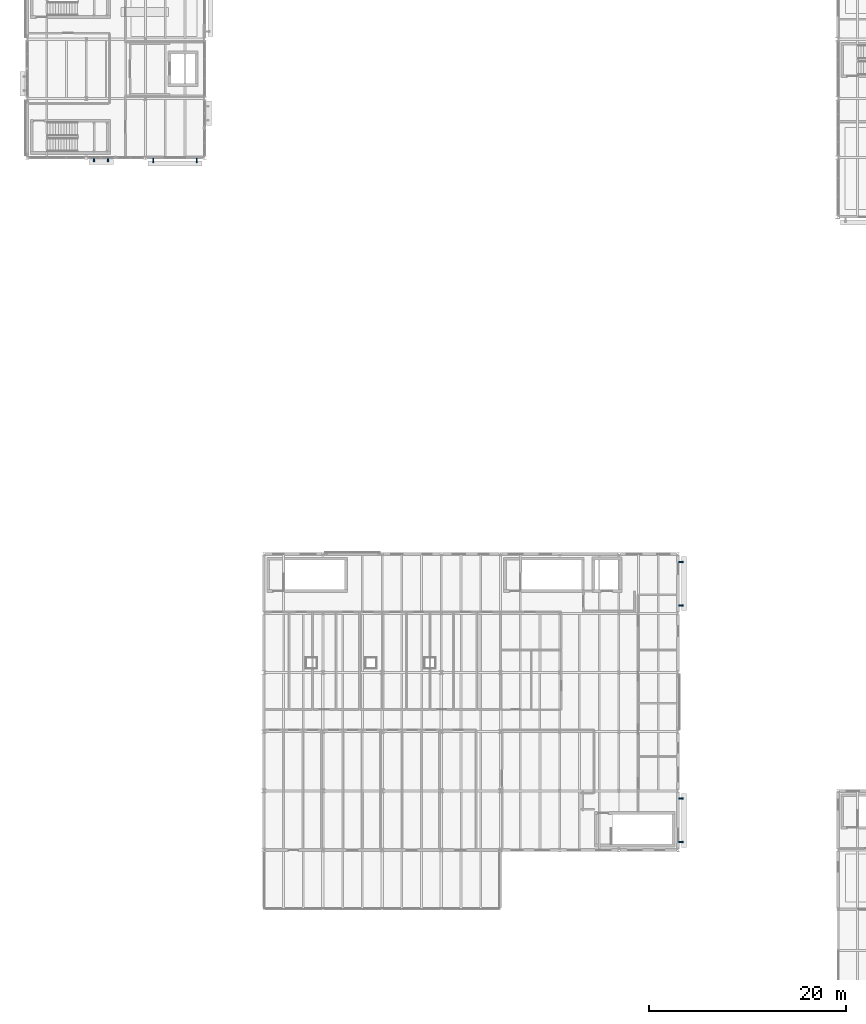
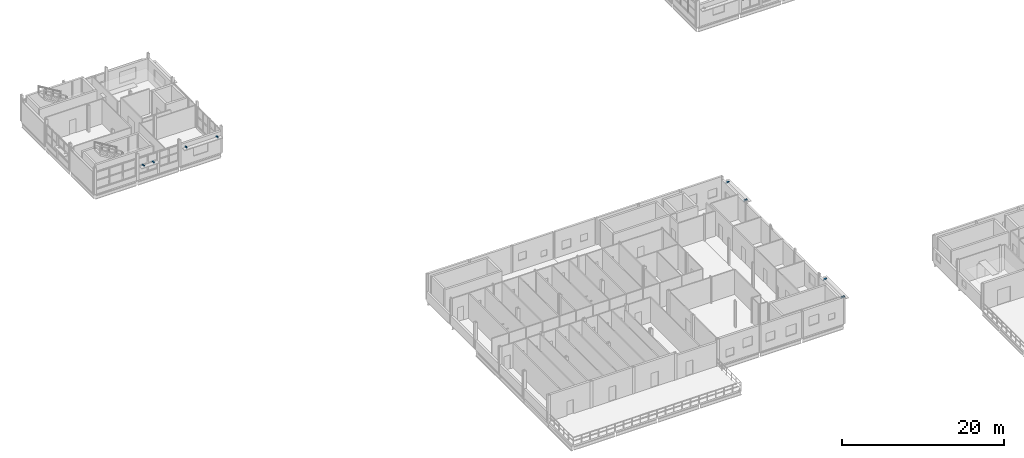
# One storey, part 41 of 45: 8 discrete accessories.
"""IFC4 building model written with IfcOpenShell, lengths in metres."""

import ifcopenshell
import ifcopenshell.guid

model = None  # the IFC model being written
_history = None  # IfcOwnerHistory: only IFC2X3 demands one
_inside = {}  # id of a spatial element -> (the spatial element, [elements in it])
_under = {}  # id of a project, library or spatial element -> (it, [spatial elements below it])
_declared = {}  # id of a project -> (the project, [libraries it declares])
_typed = {}  # id of a type object -> (the type object, [elements of that type])
_made_of = {}  # id of a material, layer set ... -> (it, [elements and type objects made of it])


def new_model(schema):
    """Start an empty IFC model of exactly this schema.

    Asked for "IFC4X3", IfcOpenShell would pick the latest addendum, in which some entities
    have other attributes; the version numbers below select the first issue.
    IFC2X3 requires an IfcOwnerHistory on every rooted entity: one is made here for all.
    """
    global model, _history
    if schema == "IFC4X3":
        model = ifcopenshell.file(schema_version=(4, 3, 0, 0))
    else:
        model = ifcopenshell.file(schema=schema)
    _inside.clear()
    _under.clear()
    _declared.clear()
    _typed.clear()
    _made_of.clear()
    _history = None
    if model.schema == "IFC2X3":
        org = make("IfcOrganization", Name="unknown")
        user = make(
            "IfcPersonAndOrganization",
            ThePerson=make("IfcPerson", FamilyName="unknown"),
            TheOrganization=org,
        )
        app = make(
            "IfcApplication",
            ApplicationDeveloper=org,
            Version="unknown",
            ApplicationFullName="unknown",
            ApplicationIdentifier="unknown",
        )
        _history = make(
            "IfcOwnerHistory",
            OwningUser=user,
            OwningApplication=app,
            ChangeAction="ADDED",
            CreationDate=0,
        )
    return model


def make(cls, **values):
    """One entity of the class cls with the attributes given. An attribute that is None is left unset."""
    return model.create_entity(
        cls, **{name: value for name, value in values.items() if value is not None}
    )


def rooted(cls, **values):
    """An entity with a GlobalId (a new one), such as an element, a storey or a relation."""
    return make(cls, GlobalId=ifcopenshell.guid.new(), OwnerHistory=_history, **values)


def si_unit(unit_type, name, prefix=None):
    """IfcSIUnit, for example si_unit("LENGTHUNIT", "METRE", prefix="MILLI")."""
    return make("IfcSIUnit", UnitType=unit_type, Prefix=prefix, Name=name)


def assignment(units):
    """IfcUnitAssignment: the units of a project."""
    return None if units is None else make("IfcUnitAssignment", Units=units)


def point(xyz):
    """IfcCartesianPoint."""
    return None if xyz is None else make("IfcCartesianPoint", Coordinates=xyz)


def direction(xyz):
    """IfcDirection."""
    return None if xyz is None else make("IfcDirection", DirectionRatios=xyz)


def frame(location, z_axis=None, x_axis=None):
    """IfcAxis2Placement3D, a coordinate frame: its origin and axes. An axis left out is left unset."""
    return make(
        "IfcAxis2Placement3D",
        Location=point(location),
        Axis=direction(z_axis),
        RefDirection=direction(x_axis),
    )


def frame_2d(location, x_axis=None):
    """IfcAxis2Placement2D, a coordinate frame in the plane: its origin and x axis."""
    return make(
        "IfcAxis2Placement2D", Location=point(location), RefDirection=direction(x_axis)
    )


def origin():
    """The frame at (0, 0, 0) with its axes left unset."""
    return frame((0.0, 0.0, 0.0))


def origin_2d():
    """The frame at (0, 0) in the plane with its x axis left unset."""
    return frame_2d((0.0, 0.0))


def place(relative_to, where):
    """IfcLocalPlacement: puts the frame where relative to a parent placement (None: the world)."""
    return make(
        "IfcLocalPlacement", PlacementRelTo=relative_to, RelativePlacement=where
    )


def context(
    kind, dimensions, precision=None, world=None, true_north=None, identifier=None
):
    """IfcGeometricRepresentationContext, for example the 3D "Model" context."""
    return make(
        "IfcGeometricRepresentationContext",
        ContextIdentifier=identifier,
        ContextType=kind,
        CoordinateSpaceDimension=dimensions,
        Precision=precision,
        WorldCoordinateSystem=world,
        TrueNorth=true_north,
    )


def subcontext(parent, identifier, kind, view, scale=None):
    """IfcGeometricRepresentationSubContext, for example "Body" below "Model"."""
    return make(
        "IfcGeometricRepresentationSubContext",
        ContextIdentifier=identifier,
        ContextType=kind,
        ParentContext=parent,
        TargetScale=scale,
        TargetView=view,
    )


def project(units=None, contexts=None):
    """IfcProject with its units and contexts."""
    return rooted(
        "IfcProject",
        Name="project",
        RepresentationContexts=contexts,
        UnitsInContext=assignment(units),
    )


def spatial(cls, under=None, at=None, **own):
    """A site, building, storey or space (cls), placed at a placement, below another one or the project."""
    s = rooted(cls, ObjectPlacement=at, **own)
    if under is not None:
        _under.setdefault(under.id(), (under, []))[1].append(s)
    return s


def profile(cls, at=None, kind="AREA", **sizes):
    """A parametric profile (cls). Its sizes go by their IFC names, for example OverallWidth=200.0."""
    return make(cls, ProfileType=kind, Position=at, **sizes)


def rectangle(**sizes):
    """IfcRectangleProfileDef."""
    return profile("IfcRectangleProfileDef", **sizes)


def extrude(swept, where, along, depth):
    """IfcExtrudedAreaSolid: the profile swept, set in the frame where, extruded along a direction by depth."""
    return make(
        "IfcExtrudedAreaSolid",
        SweptArea=swept,
        Position=where,
        ExtrudedDirection=direction(along),
        Depth=depth,
    )


def shape(context_of_items, identifier, shape_type, items):
    """IfcShapeRepresentation: the items that make up one representation, for example the "Body"."""
    return make(
        "IfcShapeRepresentation",
        ContextOfItems=context_of_items,
        RepresentationIdentifier=identifier,
        RepresentationType=shape_type,
        Items=items,
    )


def material(Name=None, Category=None):
    """IfcMaterial."""
    return make("IfcMaterial", Name=Name, Category=Category)


def made_of(thing, what):
    """Note that an element or type object is made of a material, layer set ...; save() writes the relation."""
    if what is not None:
        _made_of.setdefault(what.id(), (what, []))[1].append(thing)
    return thing


def type_object(cls, material=None, **own):
    """A type object (cls), such as IfcWallType, which elements share."""
    return made_of(rooted(cls, **own), material)


def element(
    cls,
    number,
    at=None,
    inside=None,
    cuts=None,
    type_object=None,
    material=None,
    context=None,
    identifier="Body",
    shape_type=None,
    held_by="IfcProductDefinitionShape",
    body=None,
    shapes=None,
    **own,
):
    """One element of the class cls, such as IfcWall. Its Tag is "e" and its number.

    at: its placement. inside: the storey or other place that contains it. cuts: it is an
    opening in that element (IfcRelVoidsElement). A single representation is given by context,
    identifier, shape_type and body (its items); several are given by shapes. held_by: the class
    of the entity that holds the representations. save() writes the other relations.
    """
    e = rooted(cls, Tag="e%d" % number, ObjectPlacement=at, **own)
    if body is not None:
        shapes = [shape(context, identifier, shape_type, body)]
    if shapes is not None:
        e.Representation = make(held_by, Representations=shapes)
    if inside is not None:
        _inside.setdefault(inside.id(), (inside, []))[1].append(e)
    if cuts is not None:
        rooted(
            "IfcRelVoidsElement", RelatingBuildingElement=cuts, RelatedOpeningElement=e
        )
    if type_object is not None:
        _typed.setdefault(type_object.id(), (type_object, []))[1].append(e)
    return made_of(e, material)


def aggregate(whole, parts):
    """IfcRelAggregates: a whole, such as a stair, and the parts it consists of."""
    return rooted("IfcRelAggregates", RelatingObject=whole, RelatedObjects=parts)


def save(model, path):
    """Write the relations noted so far, then the file.

    IfcRelAggregates (storeys below a building ...), IfcRelContainedInSpatialStructure (elements
    in a storey), IfcRelDefinesByType, IfcRelAssociatesMaterial and IfcRelDeclares: one each for
    every whole, place, type object, material and project.
    """
    for whole, parts in _under.values():
        aggregate(whole, parts)
    for where, things in _inside.values():
        rooted(
            "IfcRelContainedInSpatialStructure",
            RelatedElements=things,
            RelatingStructure=where,
        )
    for kind, things in _typed.values():
        rooted("IfcRelDefinesByType", RelatedObjects=things, RelatingType=kind)
    for what, things in _made_of.values():
        rooted("IfcRelAssociatesMaterial", RelatedObjects=things, RelatingMaterial=what)
    for by, libraries in _declared.values():
        rooted("IfcRelDeclares", RelatingContext=by, RelatedDefinitions=libraries)
    model.write(path)


model = new_model("IFC4")

# Units and contexts
model_context = context("Model", 3, precision=1e-05, world=origin(), true_north=direction((0.0, 1.0)))
body_context = subcontext(model_context, "Body", "Model", "MODEL_VIEW")
ifc_project = project(units=[si_unit("LENGTHUNIT", "METRE"), si_unit("AREAUNIT", "SQUARE_METRE"), si_unit("VOLUMEUNIT", "CUBIC_METRE"), si_unit("PLANEANGLEUNIT", "RADIAN"), si_unit("MASSUNIT", "GRAM", prefix="KILO")], contexts=[model_context])

# Site, building, storey
site_placement = place(None, origin())
site = spatial("IfcSite", under=ifc_project, at=site_placement, CompositionType="ELEMENT")
building_placement = place(site_placement, origin())
building = spatial("IfcBuilding", under=site, at=building_placement, Name="Siltcreek Boulevard Central Fire Station", CompositionType="ELEMENT")
storey_placement = place(building_placement, frame((0.0, 0.0, 10.0)))
storey = spatial("IfcBuildingStorey", under=building, at=storey_placement, Name="L03", CompositionType="ELEMENT", Elevation=10.0)

# Discrete accessories
ifc_material = material(Name="Hot-dip galvanized steel facade outrigger bracket", Category="steel")
discrete_accessory_type = type_object("IfcDiscreteAccessoryType", Name="ACC_BRACKET", PredefinedType="BRACKET", material=ifc_material)
for number, where, z_axis, x_axis, name in (
    (1, (108.304931640625, 24.794921875, 3.2861328125), (0.0, 0.0, 1.0), (0.0, 1.0, 0.0), "Galvanized sunshade support bracket BK-027"),
    (2, (108.304931640625, 29.205078125, 3.2861328125), (0.0, 0.0, 1.0), (0.0, 1.0, 0.0), "Galvanized sunshade support bracket BK-028"),
    (3, (108.304931640625, 48.794921875, 3.2861328125), (0.0, 0.0, 1.0), (0.0, 1.0, 0.0), "Galvanized sunshade support bracket BK-029"),
    (4, (108.304931640625, 53.205078125, 3.2861328125), (0.0, 0.0, 1.0), (0.0, 1.0, 0.0), "Galvanized sunshade support bracket BK-030"),
    (5, (48.794921875, 94.02001953125, 1.9443359375), (0.0, 0.0, 1.0), (1.0, 0.0, 0.0), "Galvanized sunshade support bracket BK-063"),
    (6, (50.2099609375, 94.02001953125, 1.9443359375), (0.0, 0.0, 1.0), (1.0, 0.0, 0.0), "Galvanized sunshade support bracket BK-064"),
    (7, (54.794921875, 93.89501953125, 2.64013671875), (0.0, 0.0, 1.0), (1.0, 0.0, 0.0), "Galvanized sunshade support bracket BK-065"),
    (8, (59.205078125, 93.89501953125, 2.64013671875), (0.0, 0.0, 1.0), (1.0, 0.0, 0.0), "Galvanized sunshade support bracket BK-066"),
):
    element("IfcDiscreteAccessory", number, at=place(storey_placement, frame(where, z_axis=z_axis, x_axis=x_axis)), inside=storey, type_object=discrete_accessory_type, Name=name, PredefinedType="BRACKET", context=body_context, shape_type="SweptSolid", body=[
        extrude(rectangle(XDim=0.139892578125, YDim=0.4599609375, at=origin_2d()), origin(), (0.0, 0.0, 1.0), 0.159912109375),
    ])

save(model, "model.ifc")
